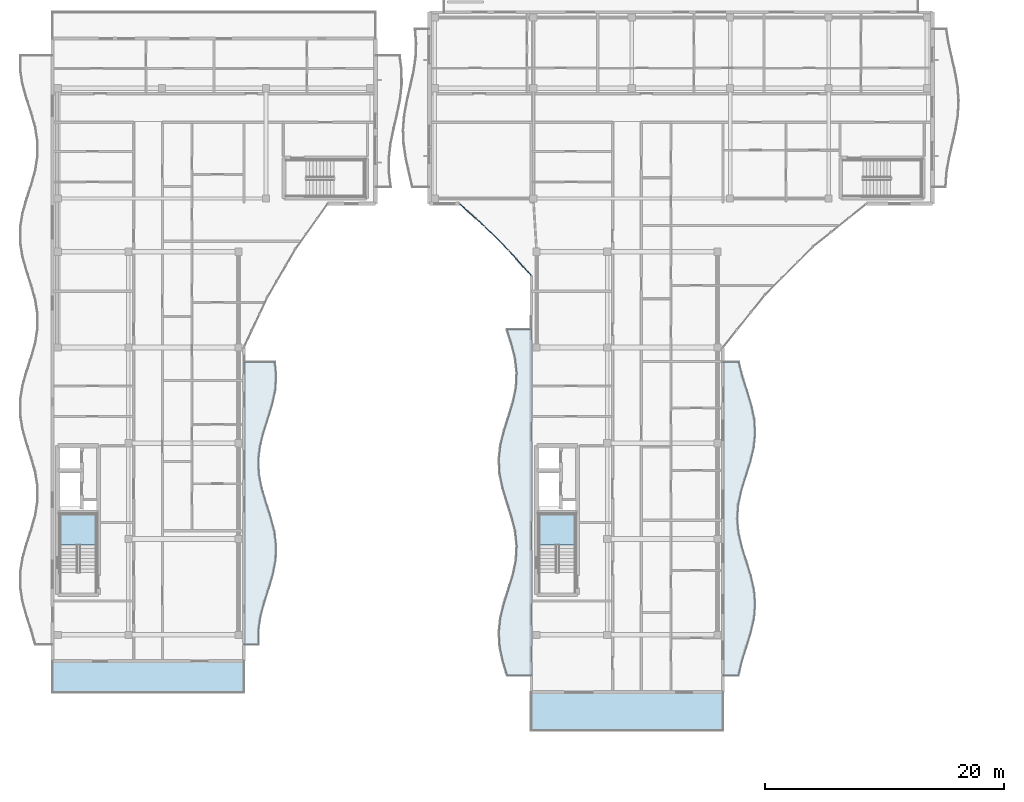
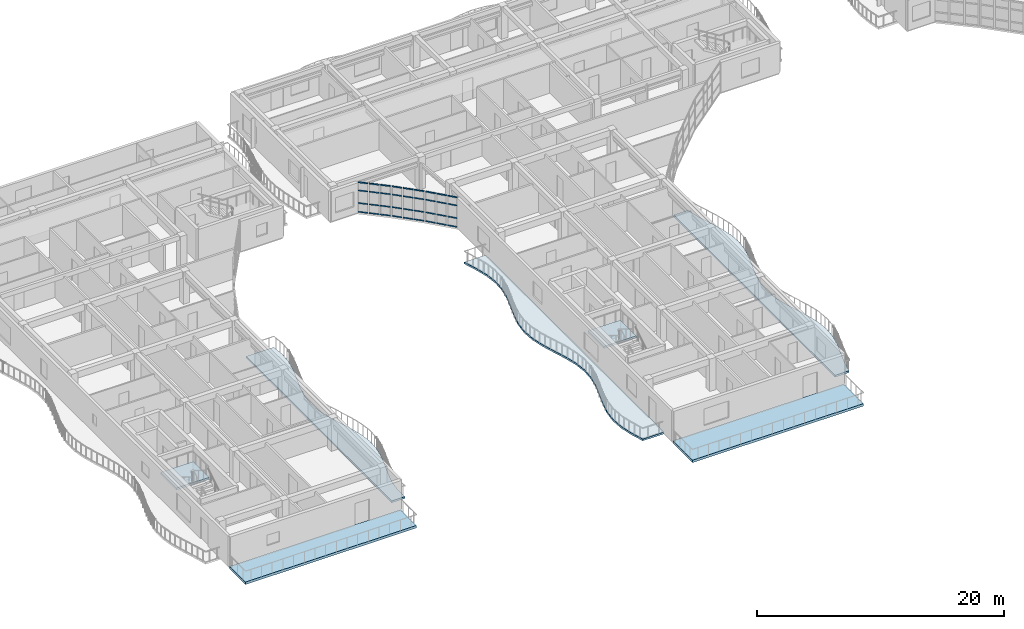
# One storey, part 22 of 71: 36 members, 7 slabs, 5 elements without a shape of their own.
"""IFC4 building model written with IfcOpenShell, lengths in metres."""

from ifc_helpers import new_model, si_unit, direction, frame, origin, origin_2d, place, context, subcontext, project, spatial, polyline, hollow_rectangle, outline, extrude, material, layer, layer_set, material_profile, profile_set, type_object, element, aggregate, save


model = new_model("IFC4")

# Units and contexts
model_context = context("Model", 3, precision=1e-05, world=origin(), true_north=direction((0.0, 1.0)))
body_context = subcontext(model_context, "Body", "Model", "MODEL_VIEW")
ifc_project = project(units=[si_unit("LENGTHUNIT", "METRE"), si_unit("AREAUNIT", "SQUARE_METRE"), si_unit("VOLUMEUNIT", "CUBIC_METRE"), si_unit("PLANEANGLEUNIT", "RADIAN"), si_unit("MASSUNIT", "GRAM", prefix="KILO")], contexts=[model_context])

# Site, building, storey
site_placement = place(None, origin())
site = spatial("IfcSite", under=ifc_project, at=site_placement, CompositionType="ELEMENT")
building_placement = place(site_placement, origin())
building = spatial("IfcBuilding", under=site, at=building_placement, Name="Keldmere Railside Commons", CompositionType="ELEMENT")
storey_placement = place(building_placement, frame((0.0, 0.0, 20.159912109375)))
storey = spatial("IfcBuildingStorey", under=building, at=storey_placement, Name="L06", CompositionType="ELEMENT", Elevation=20.159912109375)

# Curtain wall, members
ifc_material_1 = material(Name="Thermally Broken Aluminium", Category="aluminium")
ifc_layer_1 = layer(ifc_material_1, 0.159912109375, Name="Court Chord Wintergarden CW 4800x2850")
ifc_layer_set_1 = layer_set([ifc_layer_1], Name="Thermally Broken Aluminium")
curtain_wall_type_1 = type_object("IfcCurtainWallType", Name="Court Chord Wintergarden CW 4800x2850", PredefinedType="NOTDEFINED", material=ifc_layer_set_1)
curtain_wall_1_placement = place(storey_placement, origin())
curtain_wall_1 = element("IfcCurtainWall", 1, at=curtain_wall_1_placement, inside=storey, type_object=curtain_wall_type_1, Name="CW-12 CW-L06-064", PredefinedType="NOTDEFINED")
ifc_material_profile = material_profile(ifc_material_1, hollow_rectangle(XDim=0.06494140625, YDim=0.1201171875, WallThickness=0.00390625, at=origin_2d()), Name="ALU-TRAN-65x120")
ifc_profile_set = profile_set([ifc_material_profile], Name="Thermally Broken Aluminium")
member_type = type_object("IfcMemberType", Name="Unitised Curtain Wall Transom 65x120", PredefinedType="USERDEFINED", material=ifc_profile_set)
member_1_placement = place(storey_placement, frame((44.0595703125, 98.1533203125, 0.032470703125), z_axis=(-0.744569440646, 0.667545015752, 0.0), x_axis=(-0.667545015752, -0.744569440646, 0.0)))
member_1 = element("IfcMember", 2, at=member_1_placement, type_object=member_type, Name="CW-12 transom 1.1", ObjectType="TRANSOM", PredefinedType="USERDEFINED", context=body_context, shape_type="SweptSolid", body=[
    extrude(hollow_rectangle(XDim=0.06494140625, YDim=0.1201171875, WallThickness=0.00390625, at=origin_2d()), origin(), (0.0, 0.0, 1.0), 0.84619140625),
])
member_2_placement = place(storey_placement, frame((44.0595703125, 98.1533203125, 0.900146484375), z_axis=(-0.744569440646, 0.667545015752, 0.0), x_axis=(-0.667545015752, -0.744569440646, 0.0)))
member_2 = element("IfcMember", 3, at=member_2_placement, type_object=member_type, Name="CW-12 transom 1.2", ObjectType="TRANSOM", PredefinedType="USERDEFINED", context=body_context, shape_type="SweptSolid", body=[
    extrude(hollow_rectangle(XDim=0.06494140625, YDim=0.1201171875, WallThickness=0.00390625, at=origin_2d()), origin(), (0.0, 0.0, 1.0), 0.84619140625),
])
member_3_placement = place(storey_placement, frame((44.0595703125, 98.1533203125, 2.150146484375), z_axis=(-0.744569440646, 0.667545015752, 0.0), x_axis=(-0.667545015752, -0.744569440646, 0.0)))
member_3 = element("IfcMember", 4, at=member_3_placement, type_object=member_type, Name="CW-12 transom 1.3", ObjectType="TRANSOM", PredefinedType="USERDEFINED", context=body_context, shape_type="SweptSolid", body=[
    extrude(hollow_rectangle(XDim=0.06494140625, YDim=0.1201171875, WallThickness=0.00390625, at=origin_2d()), origin(), (0.0, 0.0, 1.0), 0.84619140625),
])
member_4_placement = place(storey_placement, frame((44.0595703125, 98.1533203125, 2.947509765625), z_axis=(-0.744569440646, 0.667545015752, 0.0), x_axis=(-0.667545015752, -0.744569440646, 0.0)))
member_4 = element("IfcMember", 5, at=member_4_placement, type_object=member_type, Name="CW-12 transom 1.4", ObjectType="TRANSOM", PredefinedType="USERDEFINED", context=body_context, shape_type="SweptSolid", body=[
    extrude(hollow_rectangle(XDim=0.06494140625, YDim=0.1201171875, WallThickness=0.00390625, at=origin_2d()), origin(), (0.0, 0.0, 1.0), 0.84619140625),
])
member_5_placement = place(storey_placement, frame((43.381103515625, 98.76171875, 0.032470703125), z_axis=(-0.744536109606, 0.667582190815, 0.0), x_axis=(-0.667582190815, -0.744536109606, 0.0)))
member_5 = element("IfcMember", 6, at=member_5_placement, type_object=member_type, Name="CW-12 transom 2.1", ObjectType="TRANSOM", PredefinedType="USERDEFINED", context=body_context, shape_type="SweptSolid", body=[
    extrude(hollow_rectangle(XDim=0.06494140625, YDim=0.1201171875, WallThickness=0.00390625, at=origin_2d()), origin(), (0.0, 0.0, 1.0), 0.87890625),
])
member_6_placement = place(storey_placement, frame((43.381103515625, 98.76171875, 0.900146484375), z_axis=(-0.744536109606, 0.667582190815, 0.0), x_axis=(-0.667582190815, -0.744536109606, 0.0)))
member_6 = element("IfcMember", 7, at=member_6_placement, type_object=member_type, Name="CW-12 transom 2.2", ObjectType="TRANSOM", PredefinedType="USERDEFINED", context=body_context, shape_type="SweptSolid", body=[
    extrude(hollow_rectangle(XDim=0.06494140625, YDim=0.1201171875, WallThickness=0.00390625, at=origin_2d()), origin(), (0.0, 0.0, 1.0), 0.87890625),
])
member_7_placement = place(storey_placement, frame((43.381103515625, 98.76171875, 2.150146484375), z_axis=(-0.744536109606, 0.667582190815, 0.0), x_axis=(-0.667582190815, -0.744536109606, 0.0)))
member_7 = element("IfcMember", 8, at=member_7_placement, type_object=member_type, Name="CW-12 transom 2.3", ObjectType="TRANSOM", PredefinedType="USERDEFINED", context=body_context, shape_type="SweptSolid", body=[
    extrude(hollow_rectangle(XDim=0.06494140625, YDim=0.1201171875, WallThickness=0.00390625, at=origin_2d()), origin(), (0.0, 0.0, 1.0), 0.87890625),
])
member_8_placement = place(storey_placement, frame((43.381103515625, 98.76171875, 2.947509765625), z_axis=(-0.744536109606, 0.667582190815, 0.0), x_axis=(-0.667582190815, -0.744536109606, 0.0)))
member_8 = element("IfcMember", 9, at=member_8_placement, type_object=member_type, Name="CW-12 transom 2.4", ObjectType="TRANSOM", PredefinedType="USERDEFINED", context=body_context, shape_type="SweptSolid", body=[
    extrude(hollow_rectangle(XDim=0.06494140625, YDim=0.1201171875, WallThickness=0.00390625, at=origin_2d()), origin(), (0.0, 0.0, 1.0), 0.87890625),
])
member_9_placement = place(storey_placement, frame((42.678466796875, 99.3916015625, 0.032470703125), z_axis=(-0.744569440646, 0.667545015752, 0.0), x_axis=(-0.667545015752, -0.744569440646, 0.0)))
member_9 = element("IfcMember", 10, at=member_9_placement, type_object=member_type, Name="CW-12 transom 3.1", ObjectType="TRANSOM", PredefinedType="USERDEFINED", context=body_context, shape_type="SweptSolid", body=[
    extrude(hollow_rectangle(XDim=0.06494140625, YDim=0.1201171875, WallThickness=0.00390625, at=origin_2d()), origin(), (0.0, 0.0, 1.0), 0.84619140625),
])
member_10_placement = place(storey_placement, frame((42.678466796875, 99.3916015625, 0.900146484375), z_axis=(-0.744569440646, 0.667545015752, 0.0), x_axis=(-0.667545015752, -0.744569440646, 0.0)))
member_10 = element("IfcMember", 11, at=member_10_placement, type_object=member_type, Name="CW-12 transom 3.2", ObjectType="TRANSOM", PredefinedType="USERDEFINED", context=body_context, shape_type="SweptSolid", body=[
    extrude(hollow_rectangle(XDim=0.06494140625, YDim=0.1201171875, WallThickness=0.00390625, at=origin_2d()), origin(), (0.0, 0.0, 1.0), 0.84619140625),
])
member_11_placement = place(storey_placement, frame((42.678466796875, 99.3916015625, 2.150146484375), z_axis=(-0.744569440646, 0.667545015752, 0.0), x_axis=(-0.667545015752, -0.744569440646, 0.0)))
member_11 = element("IfcMember", 12, at=member_11_placement, type_object=member_type, Name="CW-12 transom 3.3", ObjectType="TRANSOM", PredefinedType="USERDEFINED", context=body_context, shape_type="SweptSolid", body=[
    extrude(hollow_rectangle(XDim=0.06494140625, YDim=0.1201171875, WallThickness=0.00390625, at=origin_2d()), origin(), (0.0, 0.0, 1.0), 0.84619140625),
])
member_12_placement = place(storey_placement, frame((42.678466796875, 99.3916015625, 2.947509765625), z_axis=(-0.744569440646, 0.667545015752, 0.0), x_axis=(-0.667545015752, -0.744569440646, 0.0)))
member_12 = element("IfcMember", 13, at=member_12_placement, type_object=member_type, Name="CW-12 transom 3.4", ObjectType="TRANSOM", PredefinedType="USERDEFINED", context=body_context, shape_type="SweptSolid", body=[
    extrude(hollow_rectangle(XDim=0.06494140625, YDim=0.1201171875, WallThickness=0.00390625, at=origin_2d()), origin(), (0.0, 0.0, 1.0), 0.84619140625),
])
aggregate(curtain_wall_1, [member_1, member_2, member_3, member_4, member_5, member_6, member_7, member_8, member_9, member_10, member_11, member_12])

ifc_layer_2 = layer(ifc_material_1, 0.159912109375, Name="Court Chord Wintergarden CW 5400x2850")
ifc_layer_set_2 = layer_set([ifc_layer_2], Name="Thermally Broken Aluminium")
curtain_wall_type_2 = type_object("IfcCurtainWallType", Name="Court Chord Wintergarden CW 5400x2850", PredefinedType="NOTDEFINED", material=ifc_layer_set_2)
curtain_wall_2_placement = place(storey_placement, origin())
curtain_wall_2 = element("IfcCurtainWall", 14, at=curtain_wall_2_placement, inside=storey, type_object=curtain_wall_type_2, Name="CW-13 CW-L06-065", PredefinedType="NOTDEFINED")
member_13_placement = place(storey_placement, frame((46.06396484375, 96.154052734375, 0.032470703125), z_axis=(-0.707106781187, 0.707106781187, 0.0), x_axis=(-0.707106781187, -0.707106781187, 0.0)))
member_13 = element("IfcMember", 15, at=member_13_placement, type_object=member_type, Name="CW-13 transom 1.1", ObjectType="TRANSOM", PredefinedType="USERDEFINED", context=body_context, shape_type="SweptSolid", body=[
    extrude(hollow_rectangle(XDim=0.06494140625, YDim=0.1201171875, WallThickness=0.00390625, at=origin_2d()), origin(), (0.0, 0.0, 1.0), 0.84619140625),
])
member_14_placement = place(storey_placement, frame((46.06396484375, 96.154052734375, 0.900146484375), z_axis=(-0.707106781187, 0.707106781187, 0.0), x_axis=(-0.707106781187, -0.707106781187, 0.0)))
member_14 = element("IfcMember", 16, at=member_14_placement, type_object=member_type, Name="CW-13 transom 1.2", ObjectType="TRANSOM", PredefinedType="USERDEFINED", context=body_context, shape_type="SweptSolid", body=[
    extrude(hollow_rectangle(XDim=0.06494140625, YDim=0.1201171875, WallThickness=0.00390625, at=origin_2d()), origin(), (0.0, 0.0, 1.0), 0.84619140625),
])
member_15_placement = place(storey_placement, frame((46.06396484375, 96.154052734375, 2.150146484375), z_axis=(-0.707106781187, 0.707106781187, 0.0), x_axis=(-0.707106781187, -0.707106781187, 0.0)))
member_15 = element("IfcMember", 17, at=member_15_placement, type_object=member_type, Name="CW-13 transom 1.3", ObjectType="TRANSOM", PredefinedType="USERDEFINED", context=body_context, shape_type="SweptSolid", body=[
    extrude(hollow_rectangle(XDim=0.06494140625, YDim=0.1201171875, WallThickness=0.00390625, at=origin_2d()), origin(), (0.0, 0.0, 1.0), 0.84619140625),
])
member_16_placement = place(storey_placement, frame((46.06396484375, 96.154052734375, 2.947509765625), z_axis=(-0.707106781187, 0.707106781187, 0.0), x_axis=(-0.707106781187, -0.707106781187, 0.0)))
member_16 = element("IfcMember", 18, at=member_16_placement, type_object=member_type, Name="CW-13 transom 1.4", ObjectType="TRANSOM", PredefinedType="USERDEFINED", context=body_context, shape_type="SweptSolid", body=[
    extrude(hollow_rectangle(XDim=0.06494140625, YDim=0.1201171875, WallThickness=0.00390625, at=origin_2d()), origin(), (0.0, 0.0, 1.0), 0.84619140625),
])
member_17_placement = place(storey_placement, frame((45.419677734375, 96.79833984375, 0.032470703125), z_axis=(-0.707106781187, 0.707106781187, 0.0), x_axis=(-0.707106781187, -0.707106781187, 0.0)))
member_17 = element("IfcMember", 19, at=member_17_placement, type_object=member_type, Name="CW-13 transom 2.1", ObjectType="TRANSOM", PredefinedType="USERDEFINED", context=body_context, shape_type="SweptSolid", body=[
    extrude(hollow_rectangle(XDim=0.06494140625, YDim=0.1201171875, WallThickness=0.00390625, at=origin_2d()), origin(), (0.0, 0.0, 1.0), 0.878662109375),
])
member_18_placement = place(storey_placement, frame((45.419677734375, 96.79833984375, 0.900146484375), z_axis=(-0.707106781187, 0.707106781187, 0.0), x_axis=(-0.707106781187, -0.707106781187, 0.0)))
member_18 = element("IfcMember", 20, at=member_18_placement, type_object=member_type, Name="CW-13 transom 2.2", ObjectType="TRANSOM", PredefinedType="USERDEFINED", context=body_context, shape_type="SweptSolid", body=[
    extrude(hollow_rectangle(XDim=0.06494140625, YDim=0.1201171875, WallThickness=0.00390625, at=origin_2d()), origin(), (0.0, 0.0, 1.0), 0.878662109375),
])
member_19_placement = place(storey_placement, frame((45.419677734375, 96.79833984375, 2.150146484375), z_axis=(-0.707106781187, 0.707106781187, 0.0), x_axis=(-0.707106781187, -0.707106781187, 0.0)))
member_19 = element("IfcMember", 21, at=member_19_placement, type_object=member_type, Name="CW-13 transom 2.3", ObjectType="TRANSOM", PredefinedType="USERDEFINED", context=body_context, shape_type="SweptSolid", body=[
    extrude(hollow_rectangle(XDim=0.06494140625, YDim=0.1201171875, WallThickness=0.00390625, at=origin_2d()), origin(), (0.0, 0.0, 1.0), 0.878662109375),
])
member_20_placement = place(storey_placement, frame((45.419677734375, 96.79833984375, 2.947509765625), z_axis=(-0.707106781187, 0.707106781187, 0.0), x_axis=(-0.707106781187, -0.707106781187, 0.0)))
member_20 = element("IfcMember", 22, at=member_20_placement, type_object=member_type, Name="CW-13 transom 2.4", ObjectType="TRANSOM", PredefinedType="USERDEFINED", context=body_context, shape_type="SweptSolid", body=[
    extrude(hollow_rectangle(XDim=0.06494140625, YDim=0.1201171875, WallThickness=0.00390625, at=origin_2d()), origin(), (0.0, 0.0, 1.0), 0.878662109375),
])
member_21_placement = place(storey_placement, frame((44.75244140625, 97.465576171875, 0.032470703125), z_axis=(-0.707106781187, 0.707106781187, 0.0), x_axis=(-0.707106781187, -0.707106781187, 0.0)))
member_21 = element("IfcMember", 23, at=member_21_placement, type_object=member_type, Name="CW-13 transom 3.1", ObjectType="TRANSOM", PredefinedType="USERDEFINED", context=body_context, shape_type="SweptSolid", body=[
    extrude(hollow_rectangle(XDim=0.06494140625, YDim=0.1201171875, WallThickness=0.00390625, at=origin_2d()), origin(), (0.0, 0.0, 1.0), 0.84619140625),
])
member_22_placement = place(storey_placement, frame((44.75244140625, 97.465576171875, 0.900146484375), z_axis=(-0.707106781187, 0.707106781187, 0.0), x_axis=(-0.707106781187, -0.707106781187, 0.0)))
member_22 = element("IfcMember", 24, at=member_22_placement, type_object=member_type, Name="CW-13 transom 3.2", ObjectType="TRANSOM", PredefinedType="USERDEFINED", context=body_context, shape_type="SweptSolid", body=[
    extrude(hollow_rectangle(XDim=0.06494140625, YDim=0.1201171875, WallThickness=0.00390625, at=origin_2d()), origin(), (0.0, 0.0, 1.0), 0.84619140625),
])
member_23_placement = place(storey_placement, frame((44.75244140625, 97.465576171875, 2.150146484375), z_axis=(-0.707106781187, 0.707106781187, 0.0), x_axis=(-0.707106781187, -0.707106781187, 0.0)))
member_23 = element("IfcMember", 25, at=member_23_placement, type_object=member_type, Name="CW-13 transom 3.3", ObjectType="TRANSOM", PredefinedType="USERDEFINED", context=body_context, shape_type="SweptSolid", body=[
    extrude(hollow_rectangle(XDim=0.06494140625, YDim=0.1201171875, WallThickness=0.00390625, at=origin_2d()), origin(), (0.0, 0.0, 1.0), 0.84619140625),
])
member_24_placement = place(storey_placement, frame((44.75244140625, 97.465576171875, 2.947509765625), z_axis=(-0.707106781187, 0.707106781187, 0.0), x_axis=(-0.707106781187, -0.707106781187, 0.0)))
member_24 = element("IfcMember", 26, at=member_24_placement, type_object=member_type, Name="CW-13 transom 3.4", ObjectType="TRANSOM", PredefinedType="USERDEFINED", context=body_context, shape_type="SweptSolid", body=[
    extrude(hollow_rectangle(XDim=0.06494140625, YDim=0.1201171875, WallThickness=0.00390625, at=origin_2d()), origin(), (0.0, 0.0, 1.0), 0.84619140625),
])
aggregate(curtain_wall_2, [member_13, member_14, member_15, member_16, member_17, member_18, member_19, member_20, member_21, member_22, member_23, member_24])

curtain_wall_3_placement = place(storey_placement, origin())
curtain_wall_3 = element("IfcCurtainWall", 27, at=curtain_wall_3_placement, inside=storey, type_object=curtain_wall_type_1, Name="CW-12 CW-L06-066", PredefinedType="NOTDEFINED")
member_25_placement = place(storey_placement, frame((47.95654296875, 94.04833984375, 0.032470703125), z_axis=(-0.667545015752, 0.744569440646, 0.0), x_axis=(-0.744569440646, -0.667545015752, 0.0)))
member_25 = element("IfcMember", 28, at=member_25_placement, type_object=member_type, Name="CW-12 transom 1.1", ObjectType="TRANSOM", PredefinedType="USERDEFINED", context=body_context, shape_type="SweptSolid", body=[
    extrude(hollow_rectangle(XDim=0.06494140625, YDim=0.1201171875, WallThickness=0.00390625, at=origin_2d()), origin(), (0.0, 0.0, 1.0), 0.84619140625),
])
member_26_placement = place(storey_placement, frame((47.95654296875, 94.04833984375, 0.900146484375), z_axis=(-0.667545015752, 0.744569440646, 0.0), x_axis=(-0.744569440646, -0.667545015752, 0.0)))
member_26 = element("IfcMember", 29, at=member_26_placement, type_object=member_type, Name="CW-12 transom 1.2", ObjectType="TRANSOM", PredefinedType="USERDEFINED", context=body_context, shape_type="SweptSolid", body=[
    extrude(hollow_rectangle(XDim=0.06494140625, YDim=0.1201171875, WallThickness=0.00390625, at=origin_2d()), origin(), (0.0, 0.0, 1.0), 0.84619140625),
])
member_27_placement = place(storey_placement, frame((47.95654296875, 94.04833984375, 2.150146484375), z_axis=(-0.667545015752, 0.744569440646, 0.0), x_axis=(-0.744569440646, -0.667545015752, 0.0)))
member_27 = element("IfcMember", 30, at=member_27_placement, type_object=member_type, Name="CW-12 transom 1.3", ObjectType="TRANSOM", PredefinedType="USERDEFINED", context=body_context, shape_type="SweptSolid", body=[
    extrude(hollow_rectangle(XDim=0.06494140625, YDim=0.1201171875, WallThickness=0.00390625, at=origin_2d()), origin(), (0.0, 0.0, 1.0), 0.84619140625),
])
member_28_placement = place(storey_placement, frame((47.95654296875, 94.04833984375, 2.947509765625), z_axis=(-0.667545015752, 0.744569440646, 0.0), x_axis=(-0.744569440646, -0.667545015752, 0.0)))
member_28 = element("IfcMember", 31, at=member_28_placement, type_object=member_type, Name="CW-12 transom 1.4", ObjectType="TRANSOM", PredefinedType="USERDEFINED", context=body_context, shape_type="SweptSolid", body=[
    extrude(hollow_rectangle(XDim=0.06494140625, YDim=0.1201171875, WallThickness=0.00390625, at=origin_2d()), origin(), (0.0, 0.0, 1.0), 0.84619140625),
])
member_29_placement = place(storey_placement, frame((47.348388671875, 94.726806640625, 0.032470703125), z_axis=(-0.667582190815, 0.744536109606, 0.0), x_axis=(-0.744536109606, -0.667582190815, 0.0)))
member_29 = element("IfcMember", 32, at=member_29_placement, type_object=member_type, Name="CW-12 transom 2.1", ObjectType="TRANSOM", PredefinedType="USERDEFINED", context=body_context, shape_type="SweptSolid", body=[
    extrude(hollow_rectangle(XDim=0.06494140625, YDim=0.1201171875, WallThickness=0.00390625, at=origin_2d()), origin(), (0.0, 0.0, 1.0), 0.87890625),
])
member_30_placement = place(storey_placement, frame((47.348388671875, 94.726806640625, 0.900146484375), z_axis=(-0.667582190815, 0.744536109606, 0.0), x_axis=(-0.744536109606, -0.667582190815, 0.0)))
member_30 = element("IfcMember", 33, at=member_30_placement, type_object=member_type, Name="CW-12 transom 2.2", ObjectType="TRANSOM", PredefinedType="USERDEFINED", context=body_context, shape_type="SweptSolid", body=[
    extrude(hollow_rectangle(XDim=0.06494140625, YDim=0.1201171875, WallThickness=0.00390625, at=origin_2d()), origin(), (0.0, 0.0, 1.0), 0.87890625),
])
member_31_placement = place(storey_placement, frame((47.348388671875, 94.726806640625, 2.150146484375), z_axis=(-0.667582190815, 0.744536109606, 0.0), x_axis=(-0.744536109606, -0.667582190815, 0.0)))
member_31 = element("IfcMember", 34, at=member_31_placement, type_object=member_type, Name="CW-12 transom 2.3", ObjectType="TRANSOM", PredefinedType="USERDEFINED", context=body_context, shape_type="SweptSolid", body=[
    extrude(hollow_rectangle(XDim=0.06494140625, YDim=0.1201171875, WallThickness=0.00390625, at=origin_2d()), origin(), (0.0, 0.0, 1.0), 0.87890625),
])
member_32_placement = place(storey_placement, frame((47.348388671875, 94.726806640625, 2.947509765625), z_axis=(-0.667582190815, 0.744536109606, 0.0), x_axis=(-0.744536109606, -0.667582190815, 0.0)))
member_32 = element("IfcMember", 35, at=member_32_placement, type_object=member_type, Name="CW-12 transom 2.4", ObjectType="TRANSOM", PredefinedType="USERDEFINED", context=body_context, shape_type="SweptSolid", body=[
    extrude(hollow_rectangle(XDim=0.06494140625, YDim=0.1201171875, WallThickness=0.00390625, at=origin_2d()), origin(), (0.0, 0.0, 1.0), 0.87890625),
])
member_33_placement = place(storey_placement, frame((46.71826171875, 95.429443359375, 0.032470703125), z_axis=(-0.667545015752, 0.744569440646, 0.0), x_axis=(-0.744569440646, -0.667545015752, 0.0)))
member_33 = element("IfcMember", 36, at=member_33_placement, type_object=member_type, Name="CW-12 transom 3.1", ObjectType="TRANSOM", PredefinedType="USERDEFINED", context=body_context, shape_type="SweptSolid", body=[
    extrude(hollow_rectangle(XDim=0.06494140625, YDim=0.1201171875, WallThickness=0.00390625, at=origin_2d()), origin(), (0.0, 0.0, 1.0), 0.84619140625),
])
member_34_placement = place(storey_placement, frame((46.71826171875, 95.429443359375, 0.900146484375), z_axis=(-0.667545015752, 0.744569440646, 0.0), x_axis=(-0.744569440646, -0.667545015752, 0.0)))
member_34 = element("IfcMember", 37, at=member_34_placement, type_object=member_type, Name="CW-12 transom 3.2", ObjectType="TRANSOM", PredefinedType="USERDEFINED", context=body_context, shape_type="SweptSolid", body=[
    extrude(hollow_rectangle(XDim=0.06494140625, YDim=0.1201171875, WallThickness=0.00390625, at=origin_2d()), origin(), (0.0, 0.0, 1.0), 0.84619140625),
])
member_35_placement = place(storey_placement, frame((46.71826171875, 95.429443359375, 2.150146484375), z_axis=(-0.667545015752, 0.744569440646, 0.0), x_axis=(-0.744569440646, -0.667545015752, 0.0)))
member_35 = element("IfcMember", 38, at=member_35_placement, type_object=member_type, Name="CW-12 transom 3.3", ObjectType="TRANSOM", PredefinedType="USERDEFINED", context=body_context, shape_type="SweptSolid", body=[
    extrude(hollow_rectangle(XDim=0.06494140625, YDim=0.1201171875, WallThickness=0.00390625, at=origin_2d()), origin(), (0.0, 0.0, 1.0), 0.84619140625),
])
member_36_placement = place(storey_placement, frame((46.71826171875, 95.429443359375, 2.947509765625), z_axis=(-0.667545015752, 0.744569440646, 0.0), x_axis=(-0.744569440646, -0.667545015752, 0.0)))
member_36 = element("IfcMember", 39, at=member_36_placement, type_object=member_type, Name="CW-12 transom 3.4", ObjectType="TRANSOM", PredefinedType="USERDEFINED", context=body_context, shape_type="SweptSolid", body=[
    extrude(hollow_rectangle(XDim=0.06494140625, YDim=0.1201171875, WallThickness=0.00390625, at=origin_2d()), origin(), (0.0, 0.0, 1.0), 0.84619140625),
])
aggregate(curtain_wall_3, [member_25, member_26, member_27, member_28, member_29, member_30, member_31, member_32, member_33, member_34, member_35, member_36])

# Stair, slab
ifc_material_2 = material(Name="Concrete H-30 (C30/37)", Category="concrete")
stair_type = type_object("IfcStairType", Name="Residential Core Dogleg Stair 1450", PredefinedType="HALF_TURN_STAIR", material=ifc_material_2)
stair_1_placement = place(storey_placement, origin())
stair_1 = element("IfcStair", 40, at=stair_1_placement, inside=storey, type_object=stair_type, Name="L06 Block D Primary Escape Stair 1", PredefinedType="HALF_TURN_STAIR")
ifc_layer_3 = layer(ifc_material_2, 0.199951171875, Name="Enclosed Stair Landing Slab 200")
ifc_layer_set_3 = layer_set([ifc_layer_3], Name="Concrete H-30 (C30/37)")
slab_type_1 = type_object("IfcSlabType", Name="Enclosed Stair Landing Slab 200", PredefinedType="LANDING", material=ifc_layer_set_3)
slab_1_placement = place(storey_placement, frame((0.0, 0.0, 1.400146484375)))
slab_1 = element("IfcSlab", 41, at=slab_1_placement, type_object=slab_type_1, Name="ST-D1 landing 1", PredefinedType="LANDING", context=body_context, shape_type="SweptSolid", body=[
    extrude(outline(polyline([(11.699951171875, 71.52001953125), (11.699951171875, 74.10009765625), (8.64990234375, 74.10009765625), (8.64990234375, 71.52001953125), (11.699951171875, 71.52001953125)])), origin(), (0.0, 0.0, 1.0), 0.199951171875),
])
aggregate(stair_1, [slab_1])

stair_2_placement = place(storey_placement, origin())
stair_2 = element("IfcStair", 42, at=stair_2_placement, inside=storey, type_object=stair_type, Name="L06 Block C Primary Escape Stair 1", PredefinedType="HALF_TURN_STAIR")
slab_2_placement = place(storey_placement, frame((0.0, 0.0, 1.400146484375)))
slab_2 = element("IfcSlab", 43, at=slab_2_placement, type_object=slab_type_1, Name="ST-C1 landing 1", PredefinedType="LANDING", context=body_context, shape_type="SweptSolid", body=[
    extrude(outline(polyline([(51.699951171875, 71.52001953125), (51.699951171875, 74.10009765625), (48.64990234375, 74.10009765625), (48.64990234375, 71.52001953125), (51.699951171875, 71.52001953125)])), origin(), (0.0, 0.0, 1.0), 0.199951171875),
])
aggregate(stair_2, [slab_2])

# Slabs
ifc_material_3 = material(Name="Concrete H-35 (C35/45)", Category="concrete")
ifc_layer_4 = layer(ifc_material_3, 0.25, Name="Planted Terrace Roof Slab 250")
ifc_layer_set_4 = layer_set([ifc_layer_4], Name="Concrete H-35 (C35/45)")
slab_type_2 = type_object("IfcSlabType", Name="Planted Terrace Roof Slab 250", PredefinedType="ROOF", material=ifc_layer_set_4)
slab_3_placement = place(storey_placement, frame((0.0, 0.0, -0.25)))
element("IfcSlab", 44, at=slab_3_placement, inside=storey, type_object=slab_type_2, Name="RT-1 TERRD-L06-015", PredefinedType="ROOF", context=body_context, shape_type="SweptSolid", body=[
    extrude(outline(polyline([(24.0, 59.199951171875), (24.0, 61.7900390625), (8.0, 61.7900390625), (8.0, 59.199951171875), (24.0, 59.199951171875)])), origin(), (0.0, 0.0, 1.0), 0.25),
])
slab_4_placement = place(storey_placement, frame((0.0, 0.0, -0.25)))
element("IfcSlab", 45, at=slab_4_placement, inside=storey, type_object=slab_type_2, Name="RT-1 TERRC-L06-027", PredefinedType="ROOF", context=body_context, shape_type="SweptSolid", body=[
    extrude(outline(polyline([(64.0, 56.0), (64.0, 59.18994140625), (48.0, 59.18994140625), (48.0, 56.0), (64.0, 56.0)])), origin(), (0.0, 0.0, 1.0), 0.25),
])
ifc_material_4 = material(Name="White Precast Concrete H-35 (C35/45)", Category="concrete")
ifc_layer_5 = layer(ifc_material_4, 0.179931640625, Name="Sinusoidal Wave Balcony Slab 180")
ifc_layer_set_5 = layer_set([ifc_layer_5], Name="White Precast Concrete H-35 (C35/45)")
slab_type_3 = type_object("IfcSlabType", Name="Sinusoidal Wave Balcony Slab 180", PredefinedType="FLOOR", material=ifc_layer_set_5)
slab_5_placement = place(storey_placement, frame((0.0, 0.0, -0.179931640625)))
element("IfcSlab", 46, at=slab_5_placement, inside=storey, type_object=slab_type_3, Name="WB-1 D L06 CE Wave Balcony", PredefinedType="FLOOR", context=body_context, shape_type="SweptSolid", body=[
    extrude(outline(polyline([(25.236328125, 63.199951171875), (25.21533203125, 64.3798828125), (25.384765625, 65.56005859375), (25.700927734375, 66.739990234375), (26.08154296875, 67.919921875), (26.427978515625, 69.10009765625), (26.650634765625, 70.280029296875), (26.691650390625, 71.4599609375), (26.540283203125, 72.639892578125), (26.23583984375, 73.820068359375), (25.857421875, 75.0), (25.502685546875, 76.179931640625), (25.264404296875, 77.360107421875), (25.20361328125, 78.5400390625), (25.33642578125, 79.719970703125), (25.62841796875, 80.89990234375), (26.003662109375, 82.080078125), (26.364990234375, 83.260009765625), (26.618896484375, 84.43994140625), (26.69921875, 85.6201171875), (26.585205078125, 86.800048828125), (24.0, 86.800048828125), (24.0, 85.6201171875), (24.0, 84.43994140625), (24.0, 83.260009765625), (24.0, 82.080078125), (24.0, 80.89990234375), (24.0, 79.719970703125), (24.0, 78.5400390625), (24.0, 77.360107421875), (24.0, 76.179931640625), (24.0, 75.0), (24.0, 73.820068359375), (24.0, 72.639892578125), (24.0, 71.4599609375), (24.0, 70.280029296875), (24.0, 69.10009765625), (24.0, 67.919921875), (24.0, 66.739990234375), (24.0, 65.56005859375), (24.0, 64.3798828125), (24.0, 63.199951171875), (25.236328125, 63.199951171875)])), origin(), (0.0, 0.0, 1.0), 0.179931640625),
])
slab_6_placement = place(storey_placement, frame((0.0, 0.0, -0.179931640625)))
element("IfcSlab", 47, at=slab_6_placement, inside=storey, type_object=slab_type_3, Name="WB-1 C L06 CE Wave Balcony", PredefinedType="FLOOR", context=body_context, shape_type="SweptSolid", body=[
    extrude(outline(polyline([(65.305908203125, 60.60009765625), (65.58154296875, 61.791015625), (65.95458984375, 62.981689453125), (66.326416015625, 64.172607421875), (66.598876953125, 65.363525390625), (66.699951171875, 66.554443359375), (66.603271484375, 67.74560546875), (66.333984375, 68.936279296875), (65.96337890625, 70.127197265625), (65.589111328125, 71.318115234375), (65.310302734375, 72.509033203125), (65.2001953125, 73.699951171875), (65.288330078125, 74.890869140625), (65.55078125, 76.081787109375), (65.9189453125, 77.272705078125), (66.295166015625, 78.463623046875), (66.580078125, 79.654541015625), (66.698974609375, 80.845458984375), (66.6201171875, 82.036376953125), (66.364013671875, 83.227294921875), (65.998779296875, 84.418212890625), (65.620849609375, 85.609130859375), (65.32958984375, 86.800048828125), (64.0, 86.800048828125), (64.0, 85.609130859375), (64.0, 84.418212890625), (64.0, 83.227294921875), (64.0, 82.036376953125), (64.0, 80.845458984375), (64.0, 79.654541015625), (64.0, 78.463623046875), (64.0, 77.272705078125), (64.0, 76.081787109375), (64.0, 74.890869140625), (64.0, 73.699951171875), (64.0, 72.509033203125), (64.0, 71.318115234375), (64.0, 70.127197265625), (64.0, 68.936279296875), (64.0, 67.74560546875), (64.0, 66.554443359375), (64.0, 65.363525390625), (64.0, 64.172607421875), (64.0, 62.981689453125), (64.0, 61.791015625), (64.0, 60.60009765625), (65.305908203125, 60.60009765625)])), origin(), (0.0, 0.0, 1.0), 0.179931640625),
])
slab_7_placement = place(storey_placement, frame((0.0, 0.0, -0.179931640625)))
element("IfcSlab", 48, at=slab_7_placement, inside=storey, type_object=slab_type_3, Name="WB-1 C L06 CW Wave Balcony", PredefinedType="FLOOR", context=body_context, shape_type="SweptSolid", body=[
    extrude(outline(polyline([(48.0, 60.60009765625), (48.0, 61.80419921875), (48.0, 63.00830078125), (48.0, 64.21240234375), (48.0, 65.416748046875), (48.0, 66.620849609375), (48.0, 67.824951171875), (48.0, 69.029296875), (48.0, 70.2333984375), (48.0, 71.4375), (48.0, 72.6416015625), (48.0, 73.845703125), (48.0, 75.050048828125), (48.0, 76.254150390625), (48.0, 77.458251953125), (48.0, 78.66259765625), (48.0, 79.86669921875), (48.0, 81.07080078125), (48.0, 82.27490234375), (48.0, 83.479248046875), (48.0, 84.683349609375), (48.0, 85.887451171875), (48.0, 87.091796875), (48.0, 88.2958984375), (48.0, 89.5), (45.96728515625, 89.5), (46.352294921875, 88.2958984375), (46.65576171875, 87.091796875), (46.7958984375, 85.887451171875), (46.734619140625, 84.683349609375), (46.48876953125, 83.479248046875), (46.12451171875, 82.27490234375), (45.740234375, 81.07080078125), (45.439453125, 79.86669921875), (45.30322265625, 78.66259765625), (45.36865234375, 77.458251953125), (45.617919921875, 76.254150390625), (45.983642578125, 75.050048828125), (46.3671875, 73.845703125), (46.665283203125, 72.6416015625), (46.79736328125, 71.4375), (46.727783203125, 70.2333984375), (46.475341796875, 69.029296875), (46.108154296875, 67.824951171875), (45.725341796875, 66.620849609375), (45.429931640625, 65.416748046875), (45.302001953125, 64.21240234375), (45.375732421875, 63.00830078125), (45.63134765625, 61.80419921875), (46.0, 60.60009765625), (48.0, 60.60009765625)])), origin(), (0.0, 0.0, 1.0), 0.179931640625),
])

save(model, "model.ifc")
